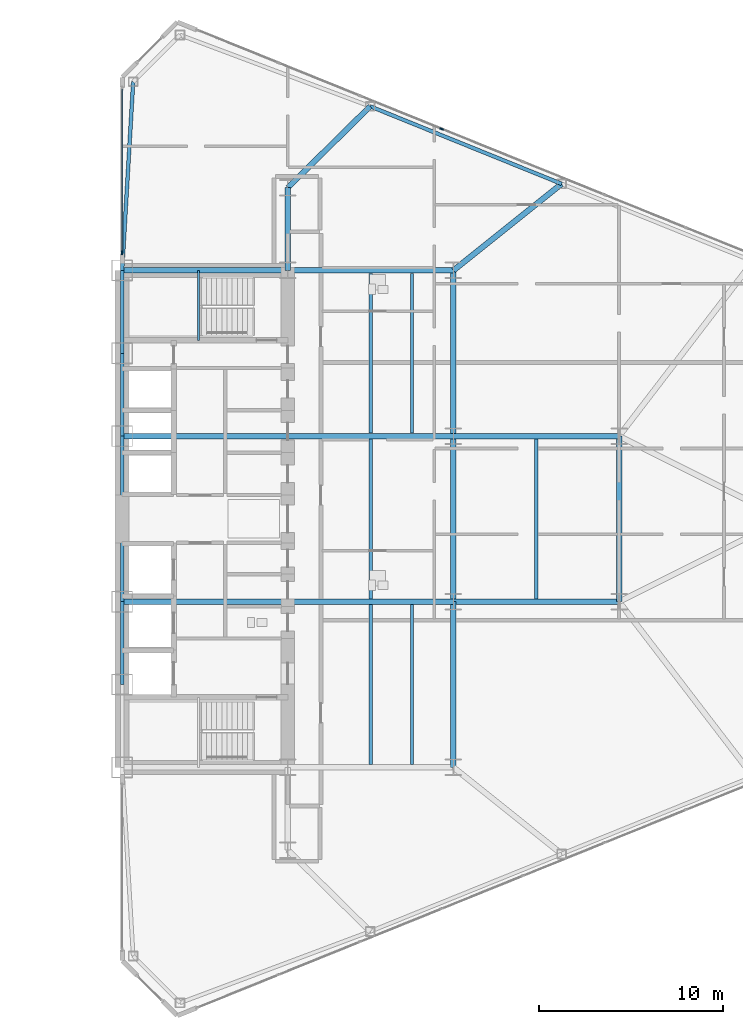
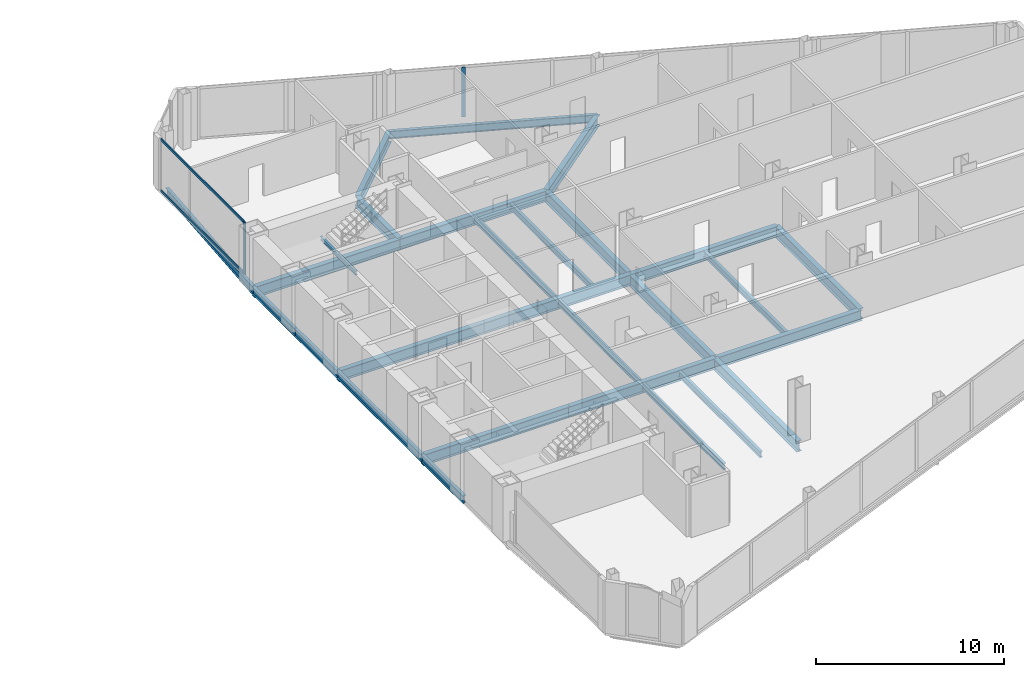
# One storey, part 11 of 25: 28 beams, 4 members, 2 elements without a shape of their own.
"""IFC4 building model written with IfcOpenShell, lengths in metres."""

from ifc_helpers import new_model, si_unit, direction, frame, origin, origin_2d, place, context, subcontext, project, spatial, rectangle, i_section, extrude, source, transform, mapped, material, layer, layer_set, material_profile, profile_set, type_object, type_shapes, element, aggregate, save


model = new_model("IFC4")

# Units and contexts
model_context = context("Model", 3, precision=1e-05, world=origin(), true_north=direction((0.0, 1.0)))
body_context = subcontext(model_context, "Body", "Model", "MODEL_VIEW")
ifc_project = project(units=[si_unit("LENGTHUNIT", "METRE"), si_unit("AREAUNIT", "SQUARE_METRE"), si_unit("VOLUMEUNIT", "CUBIC_METRE"), si_unit("PLANEANGLEUNIT", "RADIAN"), si_unit("MASSUNIT", "GRAM", prefix="KILO")], contexts=[model_context])

# Site, building, storey
site_placement = place(None, origin())
site = spatial("IfcSite", under=ifc_project, at=site_placement, CompositionType="ELEMENT")
building_placement = place(site_placement, origin())
building = spatial("IfcBuilding", under=site, at=building_placement, Name="Seokmaru Belvedere", CompositionType="ELEMENT")
storey_placement = place(building_placement, frame((0.0, 0.0, 58.5)))
storey = spatial("IfcBuildingStorey", under=building, at=storey_placement, Name="L15", CompositionType="ELEMENT", Elevation=58.5)

# Beams
ifc_material_1 = material(Name="Steel SM355 (355 MPa)", Category="steel")
ifc_material_profile_1 = material_profile(ifc_material_1, i_section(OverallWidth=0.199951171875, OverallDepth=0.5, WebThickness=0.010009765625, FlangeThickness=0.01611328125, at=origin_2d()), Name="H-500x200x10x16")
ifc_profile_set_1 = profile_set([ifc_material_profile_1], Name="Steel SM355 (355 MPa)")
beam_type_1 = type_object("IfcBeamType", Name="Perimeter Spandrel Beam H-500", PredefinedType="SPANDREL", material=ifc_profile_set_1)
shared_shape_1 = source(origin(), body_context, "Body", "SweptSolid", [
    extrude(i_section(OverallWidth=0.199951171875, OverallDepth=0.5, WebThickness=0.010009765625, FlangeThickness=0.01611328125, at=origin_2d()), origin(), (0.0, 0.0, 1.0), 4.5),
])
for number, where, z_axis, x_axis, name in (
    (1, (27.5, -9.0, -0.469970703125), (0.0, 1.0, 0.0), (-1.0, 0.0, 0.0), "L15 E Portal Spine Spandrel 2"),
    (2, (27.5, 4.5, -0.469970703125), (0.0, 1.0, 0.0), (-1.0, 0.0, 0.0), "L15 E Portal Spine Spandrel 4"),
    (3, (27.5, 9.0, -0.469970703125), (0.0, 1.0, 0.0), (-1.0, 0.0, 0.0), "L15 E Portal Spine Spandrel 5"),
):
    element("IfcBeam", number, at=place(storey_placement, frame(where, z_axis=z_axis, x_axis=x_axis)), inside=storey, type_object=beam_type_1, Name=name, PredefinedType="SPANDREL", context=body_context, shape_type="MappedRepresentation", body=[
        mapped(shared_shape_1, transform((0.0, 0.0, 0.0), scale=1.0)),
    ])
shared_shape_2 = source(origin(), body_context, "Body", "SweptSolid", [
    extrude(i_section(OverallWidth=0.199951171875, OverallDepth=0.5, WebThickness=0.010009765625, FlangeThickness=0.01611328125, at=origin_2d()), origin(), (0.0, 0.0, 1.0), 9.0),
])
beam_1_placement = place(storey_placement, frame((27.5, -4.5, -0.469970703125), z_axis=(0.0, 1.0, 0.0), x_axis=(-1.0, 0.0, 0.0)))
element("IfcBeam", 4, at=beam_1_placement, inside=storey, type_object=beam_type_1, Name="L15 E Portal Spine Spandrel 3", PredefinedType="SPANDREL", context=body_context, shape_type="MappedRepresentation", body=[
    mapped(shared_shape_2, transform((0.0, 0.0, 0.0), scale=1.0)),
])
ifc_material_profile_2 = material_profile(ifc_material_1, i_section(OverallWidth=0.300048828125, OverallDepth=0.699951171875, WebThickness=0.012939453125, FlangeThickness=0.02392578125, at=origin_2d()), Name="H-700x300x13x24")
ifc_profile_set_2 = profile_set([ifc_material_profile_2], Name="Steel SM355 (355 MPa)")
beam_type_2 = type_object("IfcBeamType", Name="Primary Floor Girder H-700", PredefinedType="BEAM", material=ifc_profile_set_2)
shared_shape_3 = source(origin(), body_context, "Body", "SweptSolid", [
    extrude(i_section(OverallWidth=0.300048828125, OverallDepth=0.699951171875, WebThickness=0.012939453125, FlangeThickness=0.02392578125, at=origin_2d()), origin(), (0.0, 0.0, 1.0), 4.5),
])
beam_2_placement = place(storey_placement, frame((36.5, 13.5, -0.570068359375), z_axis=(0.0, 1.0, 0.0), x_axis=(-1.0, 0.0, 0.0)))
element("IfcBeam", 5, at=beam_2_placement, inside=storey, type_object=beam_type_2, Name="L15 E Core Shoulder Girder N", PredefinedType="BEAM", context=body_context, shape_type="MappedRepresentation", body=[
    mapped(shared_shape_3, transform((0.0, 0.0, 0.0), scale=1.0)),
])
shared_shape_4 = source(origin(), body_context, "Body", "SweptSolid", [
    extrude(i_section(OverallWidth=0.300048828125, OverallDepth=0.699951171875, WebThickness=0.012939453125, FlangeThickness=0.02392578125, at=origin_2d()), origin(), (0.0, 0.0, 1.0), 9.0),
])
for number, where, z_axis, x_axis, name in (
    (6, (45.5, -13.5, -0.570068359375), (0.0, 1.0, 0.0), (-1.0, 0.0, 0.0), "L15 E Interior Grid Girder 1"),
    (7, (45.5, -4.5, -0.570068359375), (0.0, 1.0, 0.0), (-1.0, 0.0, 0.0), "L15 E Interior Grid Girder 2"),
    (8, (45.5, 4.5, -0.570068359375), (0.0, 1.0, 0.0), (-1.0, 0.0, 0.0), "L15 E Interior Grid Girder 3"),
    (9, (27.5, -4.5, -0.570068359375), (1.0, 0.0, 0.0), (0.0, 1.0, 0.0), "L15 E Core Tie Girder 2"),
    (10, (36.5, -4.5, -0.570068359375), (1.0, 0.0, 0.0), (0.0, 1.0, 0.0), "L15 E Wing Primary Girder 2"),
    (11, (27.5, 4.5, -0.570068359375), (1.0, 0.0, 0.0), (0.0, 1.0, 0.0), "L15 E Core Tie Girder 3"),
    (12, (36.5, 4.5, -0.570068359375), (1.0, 0.0, 0.0), (0.0, 1.0, 0.0), "L15 E Wing Primary Girder 3"),
    (13, (27.5, 13.5, -0.570068359375), (1.0, 0.0, 0.0), (0.0, 1.0, 0.0), "L15 E Core Tie Girder 4"),
    (14, (36.5, 13.5, -0.570068359375), (1.0, 0.0, 0.0), (0.0, 1.0, 0.0), "L15 E Wing Primary Girder 4"),
    (15, (45.5, -4.5, -0.570068359375), (1.0, 0.0, 0.0), (0.0, 1.0, 0.0), "L15 E Outer Wing Girder 1"),
    (16, (45.5, 4.5, -0.570068359375), (1.0, 0.0, 0.0), (0.0, 1.0, 0.0), "L15 E Outer Wing Girder 2"),
    (17, (54.5, -4.5, -0.570068359375), (0.0, 1.0, 0.0), (-1.0, 0.0, 0.0), "L15 E Apex Frame Girder"),
):
    element("IfcBeam", number, at=place(storey_placement, frame(where, z_axis=z_axis, x_axis=x_axis)), inside=storey, type_object=beam_type_2, Name=name, PredefinedType="BEAM", context=body_context, shape_type="MappedRepresentation", body=[
        mapped(shared_shape_4, transform((0.0, 0.0, 0.0), scale=1.0)),
    ])
ifc_material_profile_3 = material_profile(ifc_material_1, i_section(OverallWidth=0.18505859375, OverallDepth=0.389892578125, WebThickness=0.008056640625, FlangeThickness=0.011962890625, at=origin_2d()), Name="H-390x185x8x12")
ifc_profile_set_3 = profile_set([ifc_material_profile_3], Name="Steel SM355 (355 MPa)")
beam_type_3 = type_object("IfcBeamType", Name="Secondary Floor Joist H-350", PredefinedType="JOIST", material=ifc_profile_set_3)
shared_shape_5 = source(origin(), body_context, "Body", "SweptSolid", [
    extrude(i_section(OverallWidth=0.18505859375, OverallDepth=0.389892578125, WebThickness=0.008056640625, FlangeThickness=0.011962890625, at=origin_2d()), origin(), (0.0, 0.0, 1.0), 8.68994140625),
])
type_shapes(beam_type_3, [shared_shape_5])
for number, where, z_axis, x_axis, name in (
    (18, (43.25, -13.344970703125, -0.4150390625), (0.0, 1.0, 0.0), (-1.0, 0.0, 0.0), "L15 E Wing Inner Secondary Joist 1"),
    (19, (43.25, 4.655029296875, -0.4150390625), (0.0, 1.0, 0.0), (-1.0, 0.0, 0.0), "L15 E Wing Inner Secondary Joist 2"),
    (20, (41.0, -13.344970703125, -0.4150390625), (0.0, 1.0, 0.0), (-1.0, 0.0, 0.0), "L15 E Secondary Floor Joist 1"),
    (21, (41.0, -4.344970703125, -0.4150390625), (0.0, 1.0, 0.0), (-1.0, 0.0, 0.0), "L15 E Secondary Floor Joist 2"),
    (22, (41.0, 4.655029296875, -0.4150390625), (0.0, 1.0, 0.0), (-1.0, 0.0, 0.0), "L15 E Secondary Floor Joist 3"),
    (23, (50.0, -4.344970703125, -0.4150390625), (0.0, 1.0, 0.0), (-1.0, 0.0, 0.0), "L15 E Outer Bay Secondary Joist"),
):
    element("IfcBeam", number, at=place(storey_placement, frame(where, z_axis=z_axis, x_axis=x_axis)), inside=storey, type_object=beam_type_3, Name=name, PredefinedType="JOIST", context=body_context, shape_type="MappedRepresentation", body=[
        mapped(shared_shape_5, transform((0.0, 0.0, 0.0), scale=1.0)),
    ])
shared_shape_6 = source(origin(), body_context, "Body", "SweptSolid", [
    extrude(i_section(OverallWidth=0.199951171875, OverallDepth=0.5, WebThickness=0.010009765625, FlangeThickness=0.01611328125, at=origin_2d()), origin(), (0.0, 0.0, 1.0), 11.220703125),
])
beam_3_placement = place(storey_placement, frame((40.977294921875, 22.4140625, -0.469970703125), z_axis=(0.926944290816, -0.375198989503, 0.0), x_axis=(0.375198989503, 0.926944290816, 0.0)))
element("IfcBeam", 24, at=beam_3_placement, inside=storey, type_object=beam_type_1, Name="L15 E Faceted Flank Spandrel N-2", PredefinedType="SPANDREL", context=body_context, shape_type="MappedRepresentation", body=[
    mapped(shared_shape_6, transform((0.0, 0.0, 0.0), scale=1.0)),
])
shared_shape_7 = source(origin(), body_context, "Body", "SweptSolid", [
    extrude(i_section(OverallWidth=0.199951171875, OverallDepth=0.5, WebThickness=0.010009765625, FlangeThickness=0.01611328125, at=origin_2d()), origin(), (0.0, 0.0, 1.0), 10.26904296875),
])
type_shapes(beam_type_1, [shared_shape_1, shared_shape_2, shared_shape_6, shared_shape_7])
beam_4_placement = place(storey_placement, frame((28.10009765625, 23.75146484375, -0.469970703125), z_axis=(-0.058437709399, -0.998291056817, 0.0), x_axis=(0.998291056817, -0.058437709399, 0.0)))
element("IfcBeam", 25, at=beam_4_placement, inside=storey, type_object=beam_type_1, Name="L15 E Shoulder Spine Spandrel N", PredefinedType="SPANDREL", context=body_context, shape_type="MappedRepresentation", body=[
    mapped(shared_shape_7, transform((0.0, 0.0, 0.0), scale=1.0)),
])
shared_shape_8 = source(origin(), body_context, "Body", "SweptSolid", [
    extrude(i_section(OverallWidth=0.300048828125, OverallDepth=0.699951171875, WebThickness=0.012939453125, FlangeThickness=0.02392578125, at=origin_2d()), origin(), (0.0, 0.0, 1.0), 6.287353515625),
])
beam_5_placement = place(storey_placement, frame((40.977294921875, 22.4140625, -0.570068359375), z_axis=(-0.712117485263, -0.702060315915, 0.0), x_axis=(0.702060315915, -0.712117485263, 0.0)))
element("IfcBeam", 26, at=beam_5_placement, inside=storey, type_object=beam_type_2, Name="L15 E Flank Radial Floor Girder N-1", PredefinedType="BEAM", context=body_context, shape_type="MappedRepresentation", body=[
    mapped(shared_shape_8, transform((0.0, 0.0, 0.0), scale=1.0)),
])
shared_shape_9 = source(origin(), body_context, "Body", "SweptSolid", [
    extrude(i_section(OverallWidth=0.300048828125, OverallDepth=0.699951171875, WebThickness=0.012939453125, FlangeThickness=0.02392578125, at=origin_2d()), origin(), (0.0, 0.0, 1.0), 7.52880859375),
])
type_shapes(beam_type_2, [shared_shape_3, shared_shape_4, shared_shape_8, shared_shape_9])
beam_6_placement = place(storey_placement, frame((51.378173828125, 18.2041015625, -0.570068359375), z_axis=(-0.780767560736, -0.624821587418, 0.0), x_axis=(0.624821587418, -0.780767560736, 0.0)))
element("IfcBeam", 27, at=beam_6_placement, inside=storey, type_object=beam_type_2, Name="L15 E Flank Radial Floor Girder N-2", PredefinedType="BEAM", context=body_context, shape_type="MappedRepresentation", body=[
    mapped(shared_shape_9, transform((0.0, 0.0, 0.0), scale=1.0)),
])

# Curtain wall, members
ifc_material_2 = material(Name="Bronze Triple Insulating Glass", Category="glass")
ifc_layer = layer(ifc_material_2, 0.2099609375)
ifc_layer_set = layer_set([ifc_layer], Name="Bronze Triple Insulating Glass")
curtain_wall_type = type_object("IfcCurtainWallType", Name="Low-Rise Faceted Crystal Curtain Wall System CW-2", PredefinedType="NOTDEFINED", material=ifc_layer_set)
curtain_wall_1_placement = place(storey_placement, origin())
curtain_wall_1 = element("IfcCurtainWall", 28, at=curtain_wall_1_placement, inside=storey, type_object=curtain_wall_type, Name="L15 Curtain Wall ESP_2", PredefinedType="NOTDEFINED")
ifc_material_3 = material(Name="Anodised Bronze Aluminium", Category="aluminium")
ifc_material_profile_4 = material_profile(ifc_material_3, rectangle(XDim=0.070068359375, YDim=0.1650390625, at=origin_2d()), Name="CW-T-70x165")
ifc_profile_set_4 = profile_set([ifc_material_profile_4], Name="Anodised Bronze Aluminium")
member_type_1 = type_object("IfcMemberType", Name="Bronze Unitised Transom 70x165", PredefinedType="USERDEFINED", material=ifc_profile_set_4)
shared_shape_10 = source(origin(), body_context, "Body", "SweptSolid", [
    extrude(rectangle(XDim=0.070068359375, YDim=0.1650390625, at=origin_2d()), origin(), (0.0, 0.0, 1.0), 8.85009765625),
])
type_shapes(member_type_1, [shared_shape_10])
member_1_placement = place(storey_placement, frame((27.5, 23.35498046875, 0.034912109375), z_axis=(0.0, -1.0, 0.0), x_axis=(1.0, 0.0, 0.0)))
member_1 = element("IfcMember", 29, at=member_1_placement, type_object=member_type_1, Name="CW:L15:ESP_2 Continuous Transom 1", ObjectType="TRANSOM", PredefinedType="USERDEFINED", context=body_context, shape_type="MappedRepresentation", body=[
    mapped(shared_shape_10, transform((0.0, 0.0, 0.0), scale=1.0)),
])
member_2_placement = place(storey_placement, frame((27.5, 23.35498046875, 3.344970703125), z_axis=(0.0, -1.0, 0.0), x_axis=(1.0, 0.0, 0.0)))
member_2 = element("IfcMember", 30, at=member_2_placement, type_object=member_type_1, Name="CW:L15:ESP_2 Continuous Transom 2", ObjectType="TRANSOM", PredefinedType="USERDEFINED", context=body_context, shape_type="MappedRepresentation", body=[
    mapped(shared_shape_10, transform((0.0, 0.0, 0.0), scale=1.0)),
])

# Curtain wall, member
curtain_wall_2_placement = place(storey_placement, origin())
curtain_wall_2 = element("IfcCurtainWall", 31, at=curtain_wall_2_placement, inside=storey, type_object=curtain_wall_type, Name="L15 Curtain Wall EF3", PredefinedType="NOTDEFINED")
ifc_material_profile_5 = material_profile(ifc_material_3, rectangle(XDim=0.074951171875, YDim=0.2099609375, at=origin_2d()), Name="CW-M-75x210")
ifc_profile_set_5 = profile_set([ifc_material_profile_5], Name="Anodised Bronze Aluminium")
member_type_2 = type_object("IfcMemberType", Name="Bronze Unitised Mullion 75x210", PredefinedType="MULLION", material=ifc_profile_set_5)
shared_shape_11 = source(origin(), body_context, "Body", "SweptSolid", [
    extrude(rectangle(XDim=0.074951171875, YDim=0.2099609375, at=origin_2d()), origin(), (0.0, 0.0, 1.0), 3.239990234375),
])
member_3_placement = place(storey_placement, frame((44.855224609375, 21.189453125, 0.070068359375), z_axis=(0.0, 0.0, 1.0), x_axis=(-0.375192321888, -0.926946989637, 0.0)))
member_3 = element("IfcMember", 32, at=member_3_placement, type_object=member_type_2, Name="CW:L15:EF3 Mullion 7", PredefinedType="MULLION", context=body_context, shape_type="MappedRepresentation", body=[
    mapped(shared_shape_11, transform((0.0, 0.0, 0.0), scale=1.0)),
])
aggregate(curtain_wall_2, [member_3])

# Member
shared_shape_12 = source(origin(), body_context, "Body", "SweptSolid", [
    extrude(rectangle(XDim=0.074951171875, YDim=0.2099609375, at=origin_2d()), origin(), (0.0, 0.0, 1.0), 3.3798828125),
])
type_shapes(member_type_2, [shared_shape_11, shared_shape_12])
member_4_placement = place(storey_placement, frame((27.5, 14.467529296875, 0.0), z_axis=(0.0, 0.0, 1.0), x_axis=(1.0, 0.0, 0.0)))
member_4 = element("IfcMember", 33, at=member_4_placement, type_object=member_type_2, Name="CW:L15:ESP_2 Mullion 2", PredefinedType="MULLION", context=body_context, shape_type="MappedRepresentation", body=[
    mapped(shared_shape_12, transform((0.0, 0.0, 0.0), scale=1.0)),
])

aggregate(curtain_wall_1, [member_4, member_1, member_2])

# Beam
ifc_material_profile_6 = material_profile(ifc_material_1, i_section(OverallWidth=0.125, OverallDepth=0.25, WebThickness=0.006103515625, FlangeThickness=0.009033203125, at=origin_2d()), Name="H-250x125x6x9")
ifc_profile_set_6 = profile_set([ifc_material_profile_6], Name="Steel SM355 (355 MPa)")
beam_type_4 = type_object("IfcBeamType", Name="Stair Mid-Landing Support Beam H-250", PredefinedType="JOIST", material=ifc_profile_set_6)
shared_shape_13 = source(origin(), body_context, "Body", "SweptSolid", [
    extrude(i_section(OverallWidth=0.125, OverallDepth=0.25, WebThickness=0.006103515625, FlangeThickness=0.009033203125, at=origin_2d()), origin(), (0.0, 0.0, 1.0), 3.800048828125),
])
type_shapes(beam_type_4, [shared_shape_13])
beam_7_placement = place(storey_placement, frame((31.64990234375, 9.699951171875, 1.47509765625), z_axis=(0.0, 1.0, 0.0), x_axis=(-1.0, 0.0, 0.0)))
element("IfcBeam", 34, at=beam_7_placement, inside=storey, type_object=beam_type_4, Name="L15 Stair ST-E2 Mid-Landing Support Beam 1", PredefinedType="JOIST", context=body_context, shape_type="MappedRepresentation", body=[
    mapped(shared_shape_13, transform((0.0, 0.0, 0.0), scale=1.0)),
])

save(model, "model.ifc")
